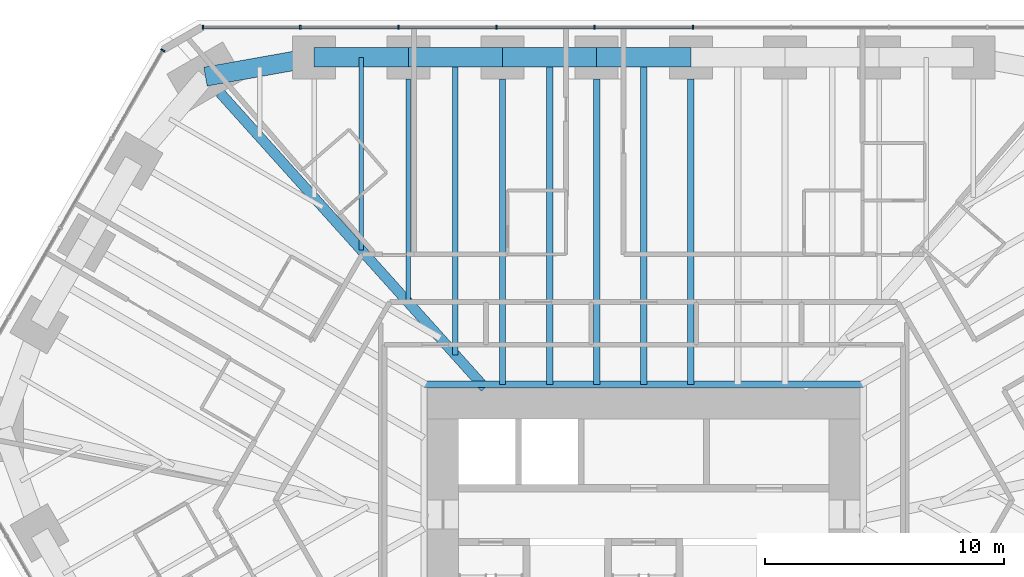
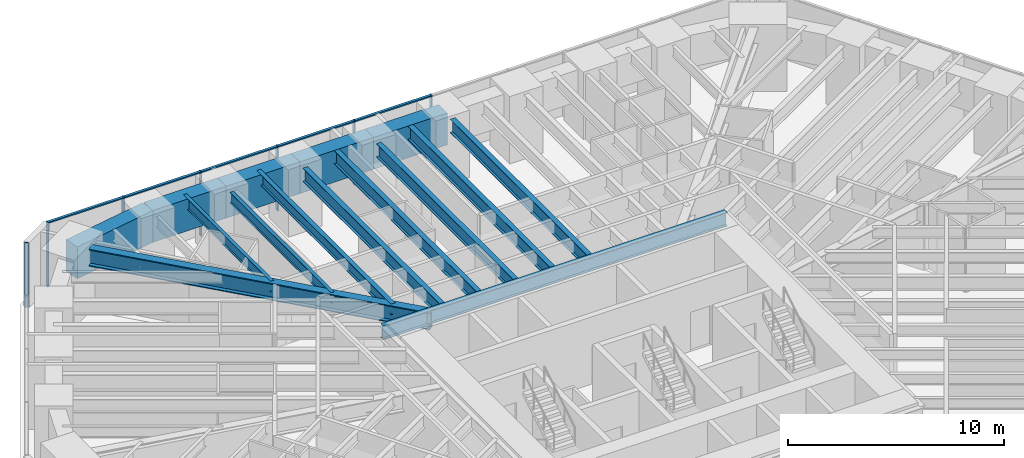
# One storey, part 8 of 17: 15 beams, 12 members, 2 elements without a shape of their own.
"""IFC4 building model written with IfcOpenShell, lengths in metres."""

import ifcopenshell
import ifcopenshell.guid

model = None  # the IFC model being written
_history = None  # IfcOwnerHistory: only IFC2X3 demands one
_inside = {}  # id of a spatial element -> (the spatial element, [elements in it])
_under = {}  # id of a project, library or spatial element -> (it, [spatial elements below it])
_declared = {}  # id of a project -> (the project, [libraries it declares])
_typed = {}  # id of a type object -> (the type object, [elements of that type])
_made_of = {}  # id of a material, layer set ... -> (it, [elements and type objects made of it])


def new_model(schema):
    """Start an empty IFC model of exactly this schema.

    Asked for "IFC4X3", IfcOpenShell would pick the latest addendum, in which some entities
    have other attributes; the version numbers below select the first issue.
    IFC2X3 requires an IfcOwnerHistory on every rooted entity: one is made here for all.
    """
    global model, _history
    if schema == "IFC4X3":
        model = ifcopenshell.file(schema_version=(4, 3, 0, 0))
    else:
        model = ifcopenshell.file(schema=schema)
    _inside.clear()
    _under.clear()
    _declared.clear()
    _typed.clear()
    _made_of.clear()
    _history = None
    if model.schema == "IFC2X3":
        org = make("IfcOrganization", Name="unknown")
        user = make(
            "IfcPersonAndOrganization",
            ThePerson=make("IfcPerson", FamilyName="unknown"),
            TheOrganization=org,
        )
        app = make(
            "IfcApplication",
            ApplicationDeveloper=org,
            Version="unknown",
            ApplicationFullName="unknown",
            ApplicationIdentifier="unknown",
        )
        _history = make(
            "IfcOwnerHistory",
            OwningUser=user,
            OwningApplication=app,
            ChangeAction="ADDED",
            CreationDate=0,
        )
    return model


def make(cls, **values):
    """One entity of the class cls with the attributes given. An attribute that is None is left unset."""
    return model.create_entity(
        cls, **{name: value for name, value in values.items() if value is not None}
    )


def rooted(cls, **values):
    """An entity with a GlobalId (a new one), such as an element, a storey or a relation."""
    return make(cls, GlobalId=ifcopenshell.guid.new(), OwnerHistory=_history, **values)


def si_unit(unit_type, name, prefix=None):
    """IfcSIUnit, for example si_unit("LENGTHUNIT", "METRE", prefix="MILLI")."""
    return make("IfcSIUnit", UnitType=unit_type, Prefix=prefix, Name=name)


def assignment(units):
    """IfcUnitAssignment: the units of a project."""
    return None if units is None else make("IfcUnitAssignment", Units=units)


def point(xyz):
    """IfcCartesianPoint."""
    return None if xyz is None else make("IfcCartesianPoint", Coordinates=xyz)


def direction(xyz):
    """IfcDirection."""
    return None if xyz is None else make("IfcDirection", DirectionRatios=xyz)


def frame(location, z_axis=None, x_axis=None):
    """IfcAxis2Placement3D, a coordinate frame: its origin and axes. An axis left out is left unset."""
    return make(
        "IfcAxis2Placement3D",
        Location=point(location),
        Axis=direction(z_axis),
        RefDirection=direction(x_axis),
    )


def frame_2d(location, x_axis=None):
    """IfcAxis2Placement2D, a coordinate frame in the plane: its origin and x axis."""
    return make(
        "IfcAxis2Placement2D", Location=point(location), RefDirection=direction(x_axis)
    )


def origin():
    """The frame at (0, 0, 0) with its axes left unset."""
    return frame((0.0, 0.0, 0.0))


def origin_2d():
    """The frame at (0, 0) in the plane with its x axis left unset."""
    return frame_2d((0.0, 0.0))


def place(relative_to, where):
    """IfcLocalPlacement: puts the frame where relative to a parent placement (None: the world)."""
    return make(
        "IfcLocalPlacement", PlacementRelTo=relative_to, RelativePlacement=where
    )


def context(
    kind, dimensions, precision=None, world=None, true_north=None, identifier=None
):
    """IfcGeometricRepresentationContext, for example the 3D "Model" context."""
    return make(
        "IfcGeometricRepresentationContext",
        ContextIdentifier=identifier,
        ContextType=kind,
        CoordinateSpaceDimension=dimensions,
        Precision=precision,
        WorldCoordinateSystem=world,
        TrueNorth=true_north,
    )


def subcontext(parent, identifier, kind, view, scale=None):
    """IfcGeometricRepresentationSubContext, for example "Body" below "Model"."""
    return make(
        "IfcGeometricRepresentationSubContext",
        ContextIdentifier=identifier,
        ContextType=kind,
        ParentContext=parent,
        TargetScale=scale,
        TargetView=view,
    )


def project(units=None, contexts=None):
    """IfcProject with its units and contexts."""
    return rooted(
        "IfcProject",
        Name="project",
        RepresentationContexts=contexts,
        UnitsInContext=assignment(units),
    )


def spatial(cls, under=None, at=None, **own):
    """A site, building, storey or space (cls), placed at a placement, below another one or the project."""
    s = rooted(cls, ObjectPlacement=at, **own)
    if under is not None:
        _under.setdefault(under.id(), (under, []))[1].append(s)
    return s


def profile(cls, at=None, kind="AREA", **sizes):
    """A parametric profile (cls). Its sizes go by their IFC names, for example OverallWidth=200.0."""
    return make(cls, ProfileType=kind, Position=at, **sizes)


def rectangle(**sizes):
    """IfcRectangleProfileDef."""
    return profile("IfcRectangleProfileDef", **sizes)


def i_section(**sizes):
    """IfcIShapeProfileDef."""
    return profile("IfcIShapeProfileDef", **sizes)


def extrude(swept, where, along, depth):
    """IfcExtrudedAreaSolid: the profile swept, set in the frame where, extruded along a direction by depth."""
    return make(
        "IfcExtrudedAreaSolid",
        SweptArea=swept,
        Position=where,
        ExtrudedDirection=direction(along),
        Depth=depth,
    )


def shape(context_of_items, identifier, shape_type, items):
    """IfcShapeRepresentation: the items that make up one representation, for example the "Body"."""
    return make(
        "IfcShapeRepresentation",
        ContextOfItems=context_of_items,
        RepresentationIdentifier=identifier,
        RepresentationType=shape_type,
        Items=items,
    )


def material(Name=None, Category=None):
    """IfcMaterial."""
    return make("IfcMaterial", Name=Name, Category=Category)


def material_profile(
    of_material, cross_section, Name=None, Category=None, Priority=None
):
    """IfcMaterialProfile: a cross section and its material."""
    return make(
        "IfcMaterialProfile",
        Name=Name,
        Material=of_material,
        Profile=cross_section,
        Priority=Priority,
        Category=Category,
    )


def profile_set(profiles, Name=None, composite=None):
    """IfcMaterialProfileSet."""
    return make(
        "IfcMaterialProfileSet",
        Name=Name,
        MaterialProfiles=profiles,
        CompositeProfile=composite,
    )


def made_of(thing, what):
    """Note that an element or type object is made of a material, layer set ...; save() writes the relation."""
    if what is not None:
        _made_of.setdefault(what.id(), (what, []))[1].append(thing)
    return thing


def type_object(cls, material=None, **own):
    """A type object (cls), such as IfcWallType, which elements share."""
    return made_of(rooted(cls, **own), material)


def element(
    cls,
    number,
    at=None,
    inside=None,
    cuts=None,
    type_object=None,
    material=None,
    context=None,
    identifier="Body",
    shape_type=None,
    held_by="IfcProductDefinitionShape",
    body=None,
    shapes=None,
    **own,
):
    """One element of the class cls, such as IfcWall. Its Tag is "e" and its number.

    at: its placement. inside: the storey or other place that contains it. cuts: it is an
    opening in that element (IfcRelVoidsElement). A single representation is given by context,
    identifier, shape_type and body (its items); several are given by shapes. held_by: the class
    of the entity that holds the representations. save() writes the other relations.
    """
    e = rooted(cls, Tag="e%d" % number, ObjectPlacement=at, **own)
    if body is not None:
        shapes = [shape(context, identifier, shape_type, body)]
    if shapes is not None:
        e.Representation = make(held_by, Representations=shapes)
    if inside is not None:
        _inside.setdefault(inside.id(), (inside, []))[1].append(e)
    if cuts is not None:
        rooted(
            "IfcRelVoidsElement", RelatingBuildingElement=cuts, RelatedOpeningElement=e
        )
    if type_object is not None:
        _typed.setdefault(type_object.id(), (type_object, []))[1].append(e)
    return made_of(e, material)


def aggregate(whole, parts):
    """IfcRelAggregates: a whole, such as a stair, and the parts it consists of."""
    return rooted("IfcRelAggregates", RelatingObject=whole, RelatedObjects=parts)


def save(model, path):
    """Write the relations noted so far, then the file.

    IfcRelAggregates (storeys below a building ...), IfcRelContainedInSpatialStructure (elements
    in a storey), IfcRelDefinesByType, IfcRelAssociatesMaterial and IfcRelDeclares: one each for
    every whole, place, type object, material and project.
    """
    for whole, parts in _under.values():
        aggregate(whole, parts)
    for where, things in _inside.values():
        rooted(
            "IfcRelContainedInSpatialStructure",
            RelatedElements=things,
            RelatingStructure=where,
        )
    for kind, things in _typed.values():
        rooted("IfcRelDefinesByType", RelatedObjects=things, RelatingType=kind)
    for what, things in _made_of.values():
        rooted("IfcRelAssociatesMaterial", RelatedObjects=things, RelatingMaterial=what)
    for by, libraries in _declared.values():
        rooted("IfcRelDeclares", RelatingContext=by, RelatedDefinitions=libraries)
    model.write(path)


model = new_model("IFC4")

# Units and contexts
model_context = context("Model", 3, precision=1e-05, world=origin(), true_north=direction((0.0, 1.0)))
body_context = subcontext(model_context, "Body", "Model", "MODEL_VIEW")
ifc_project = project(units=[si_unit("LENGTHUNIT", "METRE"), si_unit("AREAUNIT", "SQUARE_METRE"), si_unit("VOLUMEUNIT", "CUBIC_METRE"), si_unit("PLANEANGLEUNIT", "RADIAN"), si_unit("MASSUNIT", "GRAM", prefix="KILO")], contexts=[model_context])

# Site, building, storey
site_placement = place(None, origin())
site = spatial("IfcSite", under=ifc_project, at=site_placement, CompositionType="ELEMENT")
building_placement = place(site_placement, origin())
building = spatial("IfcBuilding", under=site, at=building_placement, Name="Sandreach Pilgrim Tower", CompositionType="ELEMENT")
storey_placement = place(building_placement, frame((0.0, 0.0, 108.199951171875)))
storey = spatial("IfcBuildingStorey", under=building, at=storey_placement, Name="L26", CompositionType="ELEMENT", Elevation=108.199951171875)

# Curtain wall, members
ifc_material_1 = material(Name="Aluminium framed curtain wall", Category="aluminium")
curtain_wall_type = type_object("IfcCurtainWallType", Name="Hotel tower curtain wall", PredefinedType="NOTDEFINED", material=ifc_material_1)
curtain_wall_1_placement = place(storey_placement, origin())
curtain_wall_1 = element("IfcCurtainWall", 1, at=curtain_wall_1_placement, inside=storey, type_object=curtain_wall_type, Name="CW-2 L26 N", PredefinedType="NOTDEFINED")
ifc_material_2 = material(Name="Aluminium extrusion", Category="aluminium")
ifc_material_profile_1 = material_profile(ifc_material_2, rectangle(XDim=0.06494140625, YDim=0.179931640625, at=origin_2d()), Name="CW-2M 65X180")
ifc_profile_set_1 = profile_set([ifc_material_profile_1], Name="Aluminium extrusion")
member_type_1 = type_object("IfcMemberType", Name="CW-2 mullion", PredefinedType="MULLION", material=ifc_profile_set_1)
member_1_placement = place(storey_placement, frame((-18.448974609375, 22.493896484375, 0.0), z_axis=(0.0, 0.0, 1.0), x_axis=(1.0, 0.0, 0.0)))
member_1 = element("IfcMember", 2, at=member_1_placement, type_object=member_type_1, Name="CW-2 mullion 1", PredefinedType="MULLION", context=body_context, shape_type="SweptSolid", body=[
    extrude(rectangle(XDim=0.06494140625, YDim=0.179931640625, at=origin_2d()), origin(), (0.0, 0.0, 1.0), 3.64013671875),
])
member_2_placement = place(storey_placement, frame((-14.37451171875, 22.493896484375, 0.0), z_axis=(0.0, 0.0, 1.0), x_axis=(1.0, 0.0, 0.0)))
member_2 = element("IfcMember", 3, at=member_2_placement, type_object=member_type_1, Name="CW-2 mullion 2", PredefinedType="MULLION", context=body_context, shape_type="SweptSolid", body=[
    extrude(rectangle(XDim=0.06494140625, YDim=0.179931640625, at=origin_2d()), origin(), (0.0, 0.0, 1.0), 3.64013671875),
])
member_3_placement = place(storey_placement, frame((-10.267333984375, 22.493896484375, 0.0), z_axis=(0.0, 0.0, 1.0), x_axis=(1.0, 0.0, 0.0)))
member_3 = element("IfcMember", 4, at=member_3_placement, type_object=member_type_1, Name="CW-2 mullion 3", PredefinedType="MULLION", context=body_context, shape_type="SweptSolid", body=[
    extrude(rectangle(XDim=0.06494140625, YDim=0.179931640625, at=origin_2d()), origin(), (0.0, 0.0, 1.0), 3.64013671875),
])
member_4_placement = place(storey_placement, frame((-6.160400390625, 22.493896484375, 0.0), z_axis=(0.0, 0.0, 1.0), x_axis=(1.0, 0.0, 0.0)))
member_4 = element("IfcMember", 5, at=member_4_placement, type_object=member_type_1, Name="CW-2 mullion 4", PredefinedType="MULLION", context=body_context, shape_type="SweptSolid", body=[
    extrude(rectangle(XDim=0.06494140625, YDim=0.179931640625, at=origin_2d()), origin(), (0.0, 0.0, 1.0), 3.64013671875),
])
member_5_placement = place(storey_placement, frame((-2.053466796875, 22.493896484375, 0.0), z_axis=(0.0, 0.0, 1.0), x_axis=(1.0, 0.0, 0.0)))
member_5 = element("IfcMember", 6, at=member_5_placement, type_object=member_type_1, Name="CW-2 mullion 5", PredefinedType="MULLION", context=body_context, shape_type="SweptSolid", body=[
    extrude(rectangle(XDim=0.06494140625, YDim=0.179931640625, at=origin_2d()), origin(), (0.0, 0.0, 1.0), 3.64013671875),
])
member_6_placement = place(storey_placement, frame((2.053466796875, 22.493896484375, 0.0), z_axis=(0.0, 0.0, 1.0), x_axis=(1.0, 0.0, 0.0)))
member_6 = element("IfcMember", 7, at=member_6_placement, type_object=member_type_1, Name="CW-2 mullion 6", PredefinedType="MULLION", context=body_context, shape_type="SweptSolid", body=[
    extrude(rectangle(XDim=0.06494140625, YDim=0.179931640625, at=origin_2d()), origin(), (0.0, 0.0, 1.0), 3.64013671875),
])

# Curtain wall, member
curtain_wall_2_placement = place(storey_placement, origin())
curtain_wall_2 = element("IfcCurtainWall", 8, at=curtain_wall_2_placement, inside=storey, type_object=curtain_wall_type, Name="CW-2 L26 NW", PredefinedType="NOTDEFINED")
member_7_placement = place(storey_placement, frame((-20.125732421875, 21.525634765625, 0.0), z_axis=(0.0, 0.0, 1.0), x_axis=(0.5, 0.866025403784, 0.0)))
member_7 = element("IfcMember", 9, at=member_7_placement, type_object=member_type_1, Name="CW-2 mullion 5", PredefinedType="MULLION", context=body_context, shape_type="SweptSolid", body=[
    extrude(rectangle(XDim=0.06494140625, YDim=0.179931640625, at=origin_2d()), origin(), (0.0, 0.0, 1.0), 3.64013671875),
])
aggregate(curtain_wall_2, [member_7])

# Member
ifc_material_3 = material(Name="Aluminium extrusion", Category="aluminium")
ifc_material_profile_2 = material_profile(ifc_material_3, rectangle(XDim=0.139892578125, YDim=0.070068359375, at=origin_2d()), Name="CW-2T 140X70")
ifc_profile_set_2 = profile_set([ifc_material_profile_2], Name="Aluminium extrusion")
member_type_2 = type_object("IfcMemberType", Name="CW-2 transom", PredefinedType="USERDEFINED", material=ifc_profile_set_2)
member_8_placement = place(storey_placement, frame((-18.416259765625, 22.493896484375, 3.60498046875), z_axis=(1.0, 0.0, 0.0), x_axis=(0.0, 1.0, 0.0)))
member_8 = element("IfcMember", 10, at=member_8_placement, type_object=member_type_2, Name="CW-2 head transom 1", ObjectType="TRANSOM", PredefinedType="USERDEFINED", context=body_context, shape_type="SweptSolid", body=[
    extrude(rectangle(XDim=0.139892578125, YDim=0.070068359375, at=origin_2d()), origin(), (0.0, 0.0, 1.0), 4.00927734375),
])

member_9_placement = place(storey_placement, frame((-14.341796875, 22.493896484375, 3.60498046875), z_axis=(1.0, 0.0, 0.0), x_axis=(0.0, 1.0, 0.0)))
member_9 = element("IfcMember", 11, at=member_9_placement, type_object=member_type_2, Name="CW-2 head transom 2", ObjectType="TRANSOM", PredefinedType="USERDEFINED", context=body_context, shape_type="SweptSolid", body=[
    extrude(rectangle(XDim=0.139892578125, YDim=0.070068359375, at=origin_2d()), origin(), (0.0, 0.0, 1.0), 4.041748046875),
])

member_10_placement = place(storey_placement, frame((-10.23486328125, 22.493896484375, 3.60498046875), z_axis=(1.0, 0.0, 0.0), x_axis=(0.0, 1.0, 0.0)))
member_10 = element("IfcMember", 12, at=member_10_placement, type_object=member_type_2, Name="CW-2 head transom 3", ObjectType="TRANSOM", PredefinedType="USERDEFINED", context=body_context, shape_type="SweptSolid", body=[
    extrude(rectangle(XDim=0.139892578125, YDim=0.070068359375, at=origin_2d()), origin(), (0.0, 0.0, 1.0), 4.0419921875),
])

member_11_placement = place(storey_placement, frame((-6.1279296875, 22.493896484375, 3.60498046875), z_axis=(1.0, 0.0, 0.0), x_axis=(0.0, 1.0, 0.0)))
member_11 = element("IfcMember", 13, at=member_11_placement, type_object=member_type_2, Name="CW-2 head transom 4", ObjectType="TRANSOM", PredefinedType="USERDEFINED", context=body_context, shape_type="SweptSolid", body=[
    extrude(rectangle(XDim=0.139892578125, YDim=0.070068359375, at=origin_2d()), origin(), (0.0, 0.0, 1.0), 4.0419921875),
])

member_12_placement = place(storey_placement, frame((-2.02099609375, 22.493896484375, 3.60498046875), z_axis=(1.0, 0.0, 0.0), x_axis=(0.0, 1.0, 0.0)))
member_12 = element("IfcMember", 14, at=member_12_placement, type_object=member_type_2, Name="CW-2 head transom 5", ObjectType="TRANSOM", PredefinedType="USERDEFINED", context=body_context, shape_type="SweptSolid", body=[
    extrude(rectangle(XDim=0.139892578125, YDim=0.070068359375, at=origin_2d()), origin(), (0.0, 0.0, 1.0), 4.0419921875),
])

aggregate(curtain_wall_1, [member_1, member_2, member_3, member_4, member_5, member_6, member_8, member_9, member_10, member_11, member_12])

# Beams
ifc_material_4 = material(Name="Steel ASTM A992 Grade 50", Category="steel")
ifc_material_profile_3 = material_profile(ifc_material_4, i_section(OverallWidth=0.2666015625, OverallDepth=0.77978515625, WebThickness=0.0166015625, FlangeThickness=0.030029296875, at=origin_2d()), Name="W30X148")
ifc_profile_set_3 = profile_set([ifc_material_profile_3], Name="Steel ASTM A992 Grade 50")
beam_type_1 = type_object("IfcBeamType", Name="Core edge beam W30X148", PredefinedType="BEAM", material=ifc_profile_set_3)
beam_1_placement = place(storey_placement, frame((-9.193359375, 7.54345703125, 3.250244140625), z_axis=(1.0, 0.0, 0.0), x_axis=(0.0, 1.0, 0.0)))
element("IfcBeam", 15, at=beam_1_placement, inside=storey, type_object=beam_type_1, Name="BM L26 CEN", PredefinedType="BEAM", context=body_context, shape_type="SweptSolid", body=[
    extrude(i_section(OverallWidth=0.2666015625, OverallDepth=0.77978515625, WebThickness=0.0166015625, FlangeThickness=0.030029296875, at=origin_2d()), origin(), (0.0, 0.0, 1.0), 18.38671875),
])
ifc_material_5 = material(Name="Steel ASTM A992 Grade 50", Category="steel")
ifc_material_profile_4 = material_profile(ifc_material_5, i_section(OverallWidth=0.424072265625, OverallDepth=0.965087890625, WebThickness=0.028564453125, FlangeThickness=0.051025390625, at=origin_2d()), Name="W36X361")
ifc_profile_set_4 = profile_set([ifc_material_profile_4], Name="Steel ASTM A992 Grade 50")
beam_type_2 = type_object("IfcBeamType", Name="Corner girder W36X361", PredefinedType="BEAM", material=ifc_profile_set_4)
beam_2_placement = place(storey_placement, frame((-17.738037109375, 19.754150390625, 3.157470703125), z_axis=(0.66811374471, -0.74405915365, 0.0), x_axis=(0.74405915365, 0.66811374471, 0.0)))
element("IfcBeam", 16, at=beam_2_placement, inside=storey, type_object=beam_type_2, Name="BM L26 CG39", PredefinedType="BEAM", context=body_context, shape_type="SweptSolid", body=[
    extrude(i_section(OverallWidth=0.424072265625, OverallDepth=0.965087890625, WebThickness=0.028564453125, FlangeThickness=0.051025390625, at=origin_2d()), origin(), (0.0, 0.0, 1.0), 16.603759765625),
])
ifc_material_6 = material(Name="Steel ASTM A992 Grade 50", Category="steel")
ifc_material_profile_5 = material_profile(ifc_material_6, i_section(OverallWidth=0.1787109375, OverallDepth=0.60205078125, WebThickness=0.010986328125, FlangeThickness=0.014892578125, at=origin_2d()), Name="W24X62")
ifc_profile_set_5 = profile_set([ifc_material_profile_5], Name="Steel ASTM A992 Grade 50")
beam_type_3 = type_object("IfcBeamType", Name="Floor beam W24X62", PredefinedType="BEAM", material=ifc_profile_set_5)
beam_3_placement = place(storey_placement, frame((-9.849853515625, 20.333740234375, 3.339111328125), z_axis=(0.0, -1.0, 0.0), x_axis=(1.0, 0.0, 0.0)))
element("IfcBeam", 17, at=beam_3_placement, inside=storey, type_object=beam_type_3, Name="BM L26 F02", PredefinedType="BEAM", context=body_context, shape_type="SweptSolid", body=[
    extrude(i_section(OverallWidth=0.1787109375, OverallDepth=0.60205078125, WebThickness=0.010986328125, FlangeThickness=0.014892578125, at=origin_2d()), origin(), (0.0, 0.0, 1.0), 9.3642578125),
])
beam_4_placement = place(storey_placement, frame((-11.81982421875, 21.23388671875, 3.339111328125), z_axis=(0.0, -1.0, 0.0), x_axis=(1.0, 0.0, 0.0)))
element("IfcBeam", 18, at=beam_4_placement, inside=storey, type_object=beam_type_3, Name="BM L26 FM01", PredefinedType="BEAM", context=body_context, shape_type="SweptSolid", body=[
    extrude(i_section(OverallWidth=0.1787109375, OverallDepth=0.60205078125, WebThickness=0.010986328125, FlangeThickness=0.014892578125, at=origin_2d()), origin(), (0.0, 0.0, 1.0), 8.070556640625),
])
ifc_material_7 = material(Name="Steel ASTM A992 Grade 50", Category="steel")
ifc_material_profile_6 = material_profile(ifc_material_7, i_section(OverallWidth=0.23046875, OverallDepth=0.6171875, WebThickness=0.01318359375, FlangeThickness=0.022216796875, at=origin_2d()), Name="W24X94")
ifc_profile_set_6 = profile_set([ifc_material_profile_6], Name="Steel ASTM A992 Grade 50")
beam_type_4 = type_object("IfcBeamType", Name="Floor beam W24X94", PredefinedType="BEAM", material=ifc_profile_set_6)
beam_5_placement = place(storey_placement, frame((-7.8798828125, 21.23388671875, 3.33154296875), z_axis=(0.0, -1.0, 0.0), x_axis=(1.0, 0.0, 0.0)))
element("IfcBeam", 19, at=beam_5_placement, inside=storey, type_object=beam_type_4, Name="BM L26 FM02", PredefinedType="BEAM", context=body_context, shape_type="SweptSolid", body=[
    extrude(i_section(OverallWidth=0.23046875, OverallDepth=0.6171875, WebThickness=0.01318359375, FlangeThickness=0.022216796875, at=origin_2d()), origin(), (0.0, 0.0, 1.0), 12.458251953125),
])
ifc_material_8 = material(Name="Steel ASTM A992 Grade 50", Category="steel")
ifc_material_profile_7 = material_profile(ifc_material_8, i_section(OverallWidth=0.2666015625, OverallDepth=0.761962890625, WebThickness=0.014404296875, FlangeThickness=0.021484375, at=origin_2d()), Name="W30X116")
ifc_profile_set_7 = profile_set([ifc_material_profile_7], Name="Steel ASTM A992 Grade 50")
beam_type_5 = type_object("IfcBeamType", Name="Floor beam W30X116", PredefinedType="BEAM", material=ifc_profile_set_7)
for number, where, z_axis, x_axis, name in (
    (20, (-5.909912109375, 20.333740234375, 3.259033203125), (0.0, -1.0, 0.0), (1.0, 0.0, 0.0), "BM L26 F03"),
    (21, (-1.969970703125, 20.333740234375, 3.259033203125), (0.0, -1.0, 0.0), (1.0, 0.0, 0.0), "BM L26 F04"),
    (22, (1.969970703125, 20.333740234375, 3.259033203125), (0.0, -1.0, 0.0), (1.0, 0.0, 0.0), "BM L26 F05"),
):
    element("IfcBeam", number, at=place(storey_placement, frame(where, z_axis=z_axis, x_axis=x_axis)), inside=storey, type_object=beam_type_5, Name=name, PredefinedType="BEAM", context=body_context, shape_type="SweptSolid", body=[
        extrude(i_section(OverallWidth=0.2666015625, OverallDepth=0.761962890625, WebThickness=0.014404296875, FlangeThickness=0.021484375, at=origin_2d()), origin(), (0.0, 0.0, 1.0), 12.790283203125),
    ])
for number, where, z_axis, x_axis, name in (
    (23, (-3.93994140625, 21.23388671875, 3.259033203125), (0.0, -1.0, 0.0), (1.0, 0.0, 0.0), "BM L26 FM03"),
    (24, (0.0, 21.23388671875, 3.259033203125), (0.0, -1.0, 0.0), (1.0, 0.0, 0.0), "BM L26 FM04"),
):
    element("IfcBeam", number, at=place(storey_placement, frame(where, z_axis=z_axis, x_axis=x_axis)), inside=storey, type_object=beam_type_5, Name=name, PredefinedType="BEAM", context=body_context, shape_type="SweptSolid", body=[
        extrude(i_section(OverallWidth=0.2666015625, OverallDepth=0.761962890625, WebThickness=0.014404296875, FlangeThickness=0.021484375, at=origin_2d()), origin(), (0.0, 0.0, 1.0), 13.6904296875),
    ])
ifc_material_9 = material(Name="Concrete 10000 psi", Category="concrete")
ifc_material_profile_8 = material_profile(ifc_material_9, rectangle(XDim=0.800048828125, YDim=1.800048828125, at=origin_2d()), Name="RC800X1800")
ifc_profile_set_8 = profile_set([ifc_material_profile_8], Name="Concrete 10000 psi")
beam_type_6 = type_object("IfcBeamType", Name="Spandrel beam RC800X1800", PredefinedType="SPANDREL", material=ifc_profile_set_8)
for number, where, z_axis, x_axis, name in (
    (25, (-13.789794921875, 21.23388671875, 2.739990234375), (1.0, 0.0, 0.0), (0.0, 1.0, 0.0), "BM L26 SP01"),
    (26, (-9.849853515625, 21.23388671875, 2.739990234375), (1.0, 0.0, 0.0), (0.0, 1.0, 0.0), "BM L26 SP02"),
    (27, (-5.909912109375, 21.23388671875, 2.739990234375), (1.0, 0.0, 0.0), (0.0, 1.0, 0.0), "BM L26 SP03"),
    (28, (-1.969970703125, 21.23388671875, 2.739990234375), (1.0, 0.0, 0.0), (0.0, 1.0, 0.0), "BM L26 SP04"),
):
    element("IfcBeam", number, at=place(storey_placement, frame(where, z_axis=z_axis, x_axis=x_axis)), inside=storey, type_object=beam_type_6, Name=name, PredefinedType="SPANDREL", context=body_context, shape_type="SweptSolid", body=[
        extrude(rectangle(XDim=0.800048828125, YDim=1.800048828125, at=origin_2d()), origin(), (0.0, 0.0, 1.0), 3.93994140625),
    ])
beam_6_placement = place(storey_placement, frame((-18.33935546875, 20.423828125, 2.739990234375), z_axis=(0.984515938739, 0.175295083699, 0.0), x_axis=(-0.175295083699, 0.984515938739, 0.0)))
element("IfcBeam", 29, at=beam_6_placement, inside=storey, type_object=beam_type_6, Name="BM L26 SP39", PredefinedType="SPANDREL", context=body_context, shape_type="SweptSolid", body=[
    extrude(rectangle(XDim=0.800048828125, YDim=1.800048828125, at=origin_2d()), origin(), (0.0, 0.0, 1.0), 4.62109375),
])

save(model, "model.ifc")
